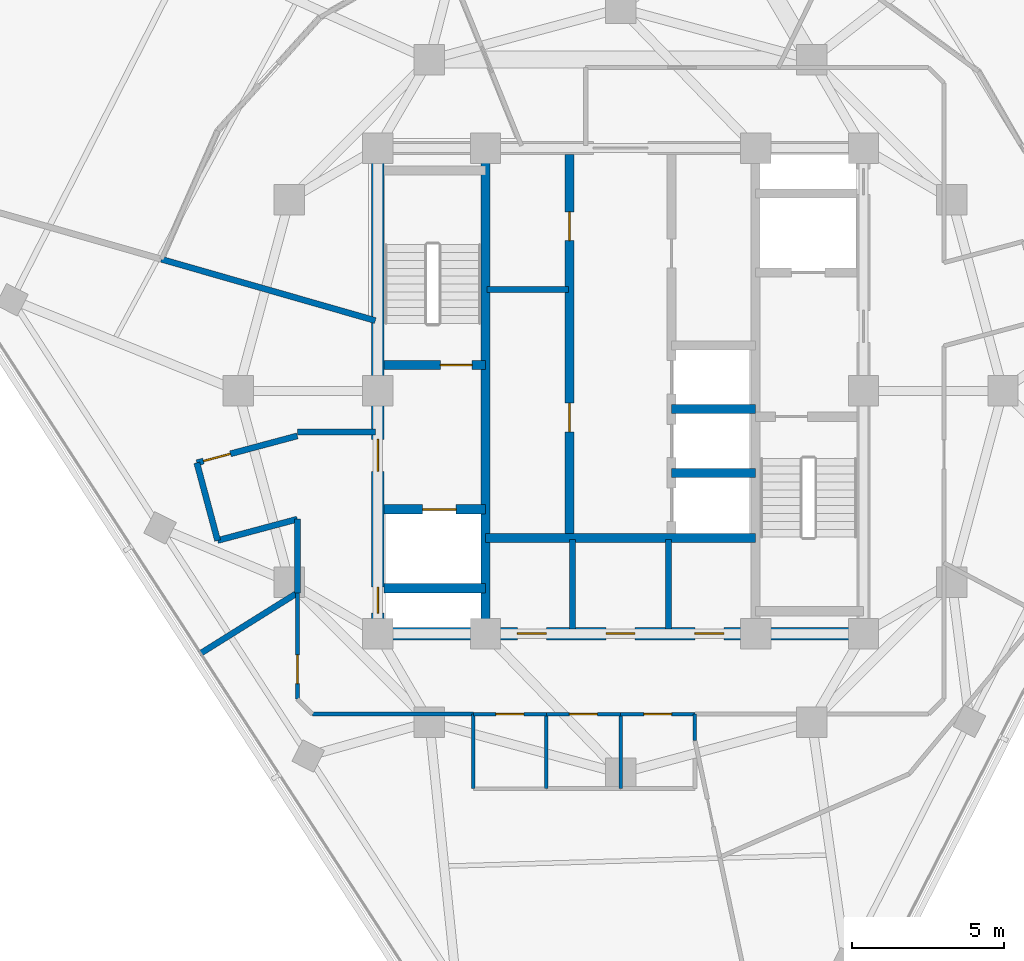
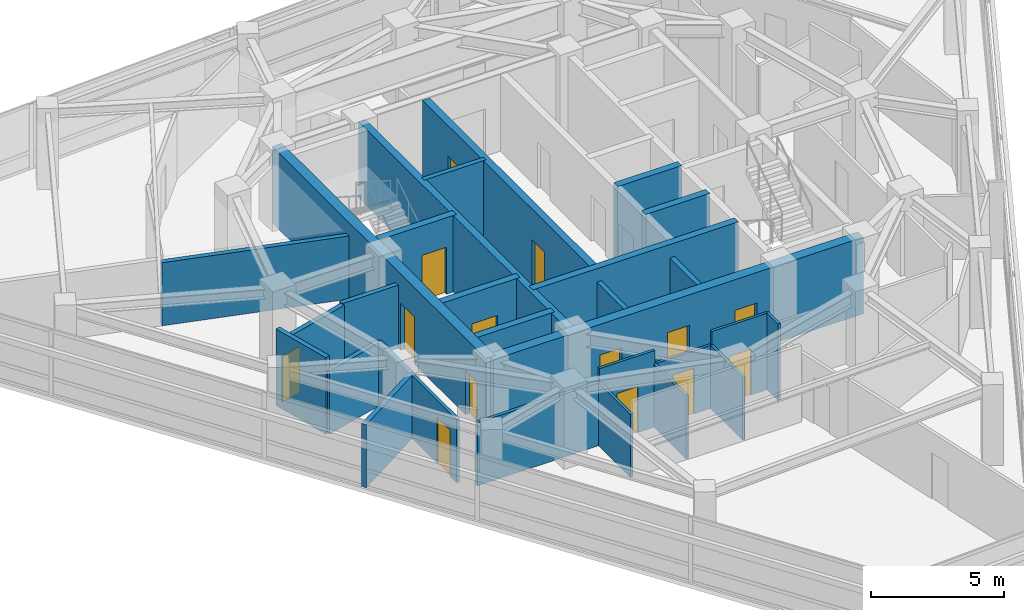
# One storey, part 8 of 15: 29 walls, 14 doors, 14 openings.
"""IFC4 building model written with IfcOpenShell, lengths in metres."""

from ifc_helpers import new_model, si_unit, direction, frame, frame_2d, origin, place, context, subcontext, project, spatial, rectangle, extrude, material, layer, layer_set, type_object, element, fill, save


model = new_model("IFC4")

# Units and contexts
model_context = context("Model", 3, precision=1e-05, world=origin(), true_north=direction((0.0, 1.0)))
body_context = subcontext(model_context, "Body", "Model", "MODEL_VIEW")
ifc_project = project(units=[si_unit("LENGTHUNIT", "METRE"), si_unit("AREAUNIT", "SQUARE_METRE"), si_unit("VOLUMEUNIT", "CUBIC_METRE"), si_unit("PLANEANGLEUNIT", "RADIAN"), si_unit("MASSUNIT", "GRAM", prefix="KILO")], contexts=[model_context])

# Site, building, storey
site_placement = place(None, origin())
site = spatial("IfcSite", under=ifc_project, at=site_placement, CompositionType="ELEMENT")
building_placement = place(site_placement, origin())
building = spatial("IfcBuilding", under=site, at=building_placement, Name="Terralouvre Media Tower", CompositionType="ELEMENT")
storey_placement = place(building_placement, frame((0.0, 0.0, 267.0)))
storey = spatial("IfcBuildingStorey", under=building, at=storey_placement, Name="L69", CompositionType="ELEMENT", Elevation=267.0)

# Wall
ifc_material_1 = material(Name="Concrete C50/60", Category="concrete")
ifc_layer_1 = layer(ifc_material_1, 0.300048828125, Name="Core Internal Shaft Wall CW-300")
ifc_layer_set_1 = layer_set([ifc_layer_1], Name="Concrete C50/60")
wall_type_1 = type_object("IfcWallType", Name="Core Internal Shaft Wall CW-300", PredefinedType="SHEAR", material=ifc_layer_set_1)
wall_1_placement = place(storey_placement, frame((-4.449951171875, -7.7900390625, 0.0), z_axis=(0.0, 0.0, 1.0), x_axis=(0.0, 1.0, 0.0)))
element("IfcWall", 1, at=wall_1_placement, inside=storey, type_object=wall_type_1, Name="L69 Core Shaft Wall SPW", PredefinedType="SHEAR", context=body_context, shape_type="SweptSolid", body=[
    extrude(rectangle(XDim=15.580078125, YDim=0.300048828125, at=frame_2d((7.7900390625, 0.0))), origin(), (0.0, 0.0, 1.0), 3.5),
])

# Wall, opening, door
wall_2_placement = place(storey_placement, frame((-7.7900390625, 0.85009765625, 0.0), z_axis=(0.0, 0.0, 1.0), x_axis=(1.0, 0.0, 0.0)))
wall_2 = element("IfcWall", 2, at=wall_2_placement, inside=storey, type_object=wall_type_1, Name="L69 Core Shaft Wall ST1D", PredefinedType="SHEAR", context=body_context, shape_type="SweptSolid", body=[
    extrude(rectangle(XDim=3.340087890625, YDim=0.300048828125, at=frame_2d((1.669921875, 0.0))), origin(), (0.0, 0.0, 1.0), 3.5),
])
opening_1_placement = place(wall_2_placement, frame((1.85009765625, 0.0, 0.0)))
opening_1 = element("IfcOpeningElement", 3, at=opening_1_placement, cuts=wall_2, Name="Opening FD-01-105X215", PredefinedType="OPENING", context=body_context, shape_type="SweptSolid", body=[
    extrude(rectangle(XDim=1.050048828125, YDim=2.14990234375, at=frame_2d((0.52490234375, 1.074951171875))), frame((0.0, 0.159912109375, 0.0), z_axis=(0.0, -1.0, 0.0), x_axis=(1.0, 0.0, 0.0)), (0.0, 0.0, 1.0), 0.320068359375),
])
ifc_material_2 = material(Name="Galvanised steel fire-resisting leaf", Category="steel")
door_type_1 = type_object("IfcDoorType", Name="Stair and Firefighting Lobby Fire Door FD-01 (1050x2150)", OperationType="NOTDEFINED", PredefinedType="DOOR", material=ifc_material_2)
door_1_placement = place(opening_1_placement, origin())
door_1 = element("IfcDoor", 4, at=door_1_placement, inside=storey, type_object=door_type_1, Name="L69 ST-01 Exit Stair Door", OperationType="SINGLE_SWING_LEFT", OverallHeight=2.14990234375, OverallWidth=1.050048828125, PredefinedType="DOOR", context=body_context, shape_type="SweptSolid", body=[
    extrude(rectangle(XDim=1.050048828125, YDim=2.14990234375, at=frame_2d((0.52490234375, 1.074951171875))), frame((0.0, 0.02490234375, 0.0), z_axis=(0.0, -1.0, 0.0), x_axis=(1.0, 0.0, 0.0)), (0.0, 0.0, 1.0), 0.050048828125),
])
fill(opening_1, door_1)

wall_3_placement = place(storey_placement, frame((-7.7900390625, -3.89990234375, 0.0), z_axis=(0.0, 0.0, 1.0), x_axis=(1.0, 0.0, 0.0)))
wall_3 = element("IfcWall", 5, at=wall_3_placement, inside=storey, type_object=wall_type_1, Name="L69 Core Shaft Wall FF1N", PredefinedType="SHEAR", context=body_context, shape_type="SweptSolid", body=[
    extrude(rectangle(XDim=3.340087890625, YDim=0.300048828125, at=frame_2d((1.669921875, 0.0))), origin(), (0.0, 0.0, 1.0), 3.5),
])
opening_2_placement = place(wall_3_placement, frame((1.27001953125, 0.0, 0.0)))
opening_2 = element("IfcOpeningElement", 6, at=opening_2_placement, cuts=wall_3, Name="Opening LD-FF", PredefinedType="OPENING", context=body_context, shape_type="SweptSolid", body=[
    extrude(rectangle(XDim=1.10009765625, YDim=2.10009765625, at=frame_2d((0.550048828125, 1.050048828125))), frame((0.0, 0.159912109375, 0.0), z_axis=(0.0, -1.0, 0.0), x_axis=(1.0, 0.0, 0.0)), (0.0, 0.0, 1.0), 0.320068359375),
])
ifc_material_3 = material(Name="Stainless steel 316 handrail and balustrade", Category="steel")
door_type_2 = type_object("IfcDoorType", Name="Firefighting Lift Sliding Landing Door LD-FF", OperationType="SLIDING_TO_LEFT", PredefinedType="DOOR", material=ifc_material_3)
door_2_placement = place(opening_2_placement, origin())
door_2 = element("IfcDoor", 7, at=door_2_placement, inside=storey, type_object=door_type_2, Name="L69 Firefighting Lift FFL-01 Landing Door", OperationType="SLIDING_TO_LEFT", OverallHeight=2.10009765625, OverallWidth=1.10009765625, PredefinedType="DOOR", context=body_context, shape_type="SweptSolid", body=[
    extrude(rectangle(XDim=1.10009765625, YDim=2.10009765625, at=frame_2d((0.550048828125, 1.050048828125))), frame((0.0, 0.02490234375, 0.0), z_axis=(0.0, -1.0, 0.0), x_axis=(1.0, 0.0, 0.0)), (0.0, 0.0, 1.0), 0.050048828125),
])
fill(opening_2, door_2)

# Walls
wall_4_placement = place(storey_placement, frame((-7.7900390625, -6.5, 0.0), z_axis=(0.0, 0.0, 1.0), x_axis=(1.0, 0.0, 0.0)))
element("IfcWall", 8, at=wall_4_placement, inside=storey, type_object=wall_type_1, Name="L69 Core Shaft Wall FF1S", PredefinedType="SHEAR", context=body_context, shape_type="SweptSolid", body=[
    extrude(rectangle(XDim=3.340087890625, YDim=0.300048828125, at=frame_2d((1.669921875, 0.0))), origin(), (0.0, 0.0, 1.0), 3.5),
])
wall_5_placement = place(storey_placement, frame((-4.449951171875, -4.85009765625, 0.0), z_axis=(0.0, 0.0, 1.0), x_axis=(1.0, 0.0, 0.0)))
element("IfcWall", 9, at=wall_5_placement, inside=storey, type_object=wall_type_1, Name="L69 Core Shaft Wall CSBN", PredefinedType="SHEAR", context=body_context, shape_type="SweptSolid", body=[
    extrude(rectangle(XDim=8.89990234375, YDim=0.300048828125, at=frame_2d((4.449951171875, 0.0))), origin(), (0.0, 0.0, 1.0), 3.5),
])

# Wall, openings, doors
wall_6_placement = place(storey_placement, frame((-1.679931640625, -4.85009765625, 0.0), z_axis=(0.0, 0.0, 1.0), x_axis=(0.0, 1.0, 0.0)))
wall_6 = element("IfcWall", 10, at=wall_6_placement, inside=storey, type_object=wall_type_1, Name="L69 Core Shaft Wall LBW", PredefinedType="SHEAR", context=body_context, shape_type="SweptSolid", body=[
    extrude(rectangle(XDim=12.64013671875, YDim=0.300048828125, at=frame_2d((6.320068359375, 0.0))), origin(), (0.0, 0.0, 1.0), 3.5),
])
opening_3_placement = place(wall_6_placement, frame((3.5, 0.0, 0.0)))
opening_3 = element("IfcOpeningElement", 11, at=opening_3_placement, cuts=wall_6, Name="Opening FD-04-95X210", PredefinedType="OPENING", context=body_context, shape_type="SweptSolid", body=[
    extrude(rectangle(XDim=0.949951171875, YDim=2.10009765625, at=frame_2d((0.47509765625, 1.050048828125))), frame((0.0, 0.159912109375, 0.0), z_axis=(0.0, -1.0, 0.0), x_axis=(1.0, 0.0, 0.0)), (0.0, 0.0, 1.0), 0.320068359375),
])
opening_4_placement = place(wall_6_placement, frame((9.800048828125, 0.0, 0.0)))
opening_4 = element("IfcOpeningElement", 12, at=opening_4_placement, cuts=wall_6, Name="Opening FD-02-95X210", PredefinedType="OPENING", context=body_context, shape_type="SweptSolid", body=[
    extrude(rectangle(XDim=0.949951171875, YDim=2.10009765625, at=frame_2d((0.47509765625, 1.050048828125))), frame((0.0, 0.159912109375, 0.0), z_axis=(0.0, -1.0, 0.0), x_axis=(1.0, 0.0, 0.0)), (0.0, 0.0, 1.0), 0.320068359375),
])
ifc_material_4 = material(Name="Galvanised steel fire-resisting leaf", Category="steel")
door_type_3 = type_object("IfcDoorType", Name="Core Store and Service Fire Door FD-04 (950x2100)", OperationType="NOTDEFINED", PredefinedType="DOOR", material=ifc_material_4)
door_3_placement = place(opening_3_placement, origin())
door_3 = element("IfcDoor", 13, at=door_3_placement, inside=storey, type_object=door_type_3, Name="L69 Core Archive Store Door", OperationType="SINGLE_SWING_LEFT", OverallHeight=2.10009765625, OverallWidth=0.949951171875, PredefinedType="DOOR", context=body_context, shape_type="SweptSolid", body=[
    extrude(rectangle(XDim=0.949951171875, YDim=2.10009765625, at=frame_2d((0.47509765625, 1.050048828125))), frame((0.0, 0.02490234375, 0.0), z_axis=(0.0, -1.0, 0.0), x_axis=(1.0, 0.0, 0.0)), (0.0, 0.0, 1.0), 0.050048828125),
])
fill(opening_3, door_3)
ifc_material_5 = material(Name="Galvanised steel fire-resisting leaf", Category="steel")
door_type_4 = type_object("IfcDoorType", Name="Plant and Riser Fire Door FD-02 (950x2100)", OperationType="NOTDEFINED", PredefinedType="DOOR", material=ifc_material_5)
door_4_placement = place(opening_4_placement, origin())
door_4 = element("IfcDoor", 14, at=door_4_placement, inside=storey, type_object=door_type_4, Name="L69 Core AV Repeater Plant Door", OperationType="SINGLE_SWING_RIGHT", OverallHeight=2.10009765625, OverallWidth=0.949951171875, PredefinedType="DOOR", context=body_context, shape_type="SweptSolid", body=[
    extrude(rectangle(XDim=0.949951171875, YDim=2.10009765625, at=frame_2d((0.47509765625, 1.050048828125))), frame((0.0, 0.02490234375, 0.0), z_axis=(0.0, -1.0, 0.0), x_axis=(1.0, 0.0, 0.0)), (0.0, 0.0, 1.0), 0.050048828125),
])
fill(opening_4, door_4)

# Walls
for number, where, z_axis, x_axis, name in (
    (15, (1.679931640625, -2.699951171875, 0.0), (0.0, 0.0, 1.0), (1.0, 0.0, 0.0), "L69 Core Shaft Wall PLHD1"),
    (16, (1.679931640625, -0.60009765625, 0.0), (0.0, 0.0, 1.0), (1.0, 0.0, 0.0), "L69 Core Shaft Wall PLHD2"),
):
    element("IfcWall", number, at=place(storey_placement, frame(where, z_axis=z_axis, x_axis=x_axis)), inside=storey, type_object=wall_type_1, Name=name, PredefinedType="SHEAR", context=body_context, shape_type="SweptSolid", body=[
        extrude(rectangle(XDim=2.77001953125, YDim=0.300048828125, at=frame_2d((1.385009765625, 0.0))), origin(), (0.0, 0.0, 1.0), 3.5),
    ])

# Wall, openings, doors
ifc_material_6 = material(Name="Concrete C60/75", Category="concrete")
ifc_layer_2 = layer(ifc_material_6, 0.419921875, Name="Core Reinforced Concrete Shear Wall CW-420")
ifc_layer_set_2 = layer_set([ifc_layer_2], Name="Concrete C60/75")
wall_type_2 = type_object("IfcWallType", Name="Core Reinforced Concrete Shear Wall CW-420", PredefinedType="SHEAR", material=ifc_layer_set_2)
wall_7_placement = place(storey_placement, frame((-8.0, -8.0, 0.0), z_axis=(0.0, 0.0, 1.0), x_axis=(0.0, 1.0, 0.0)))
wall_7 = element("IfcWall", 17, at=wall_7_placement, inside=storey, type_object=wall_type_2, Name="L69 W Core Shear Wall", PredefinedType="SHEAR", context=body_context, shape_type="SweptSolid", body=[
    extrude(rectangle(XDim=16.0, YDim=0.419921875, at=frame_2d((8.0, 0.0))), origin(), (0.0, 0.0, 1.0), 3.5),
])
opening_5_placement = place(wall_7_placement, frame((0.68115234375, 0.0, 0.0)))
opening_5 = element("IfcOpeningElement", 18, at=opening_5_placement, cuts=wall_7, Name="Opening TD-R1", PredefinedType="OPENING", context=body_context, shape_type="SweptSolid", body=[
    extrude(rectangle(XDim=0.85009765625, YDim=2.02001953125, at=frame_2d((0.425048828125, 1.010009765625))), frame((0.0, 0.219970703125, 0.0), z_axis=(0.0, -1.0, 0.0), x_axis=(1.0, 0.0, 0.0)), (0.0, 0.0, 1.0), 0.43994140625),
])
opening_6_placement = place(wall_7_placement, frame((5.35009765625, 0.0, 0.0)))
opening_6 = element("IfcOpeningElement", 19, at=opening_6_placement, cuts=wall_7, Name="Opening FD-01-105X215", PredefinedType="OPENING", context=body_context, shape_type="SweptSolid", body=[
    extrude(rectangle(XDim=1.050048828125, YDim=2.14990234375, at=frame_2d((0.52490234375, 1.074951171875))), frame((0.0, 0.219970703125, 0.0), z_axis=(0.0, -1.0, 0.0), x_axis=(1.0, 0.0, 0.0)), (0.0, 0.0, 1.0), 0.43994140625),
])
ifc_material_7 = material(Name="Galvanised steel fire-resisting leaf", Category="steel")
door_type_5 = type_object("IfcDoorType", Name="Riser Inspection Access Trapdoor TD-R1", OperationType="NOTDEFINED", PredefinedType="TRAPDOOR", material=ifc_material_7)
door_5_placement = place(opening_5_placement, origin())
door_5 = element("IfcDoor", 20, at=door_5_placement, inside=storey, type_object=door_type_5, Name="L69 Wet Riser Access Trapdoor", OperationType="SINGLE_SWING_LEFT", OverallHeight=2.02001953125, OverallWidth=0.85009765625, PredefinedType="TRAPDOOR", context=body_context, shape_type="SweptSolid", body=[
    extrude(rectangle(XDim=0.85009765625, YDim=2.02001953125, at=frame_2d((0.425048828125, 1.010009765625))), frame((0.0, 0.02490234375, 0.0), z_axis=(0.0, -1.0, 0.0), x_axis=(1.0, 0.0, 0.0)), (0.0, 0.0, 1.0), 0.050048828125),
])
fill(opening_5, door_5)
door_6_placement = place(opening_6_placement, origin())
door_6 = element("IfcDoor", 21, at=door_6_placement, inside=storey, type_object=door_type_1, Name="L69 West Firefighting Lobby Entry Door", OperationType="SINGLE_SWING_RIGHT", OverallHeight=2.14990234375, OverallWidth=1.050048828125, PredefinedType="DOOR", context=body_context, shape_type="SweptSolid", body=[
    extrude(rectangle(XDim=1.050048828125, YDim=2.14990234375, at=frame_2d((0.52490234375, 1.074951171875))), frame((0.0, 0.02490234375, 0.0), z_axis=(0.0, -1.0, 0.0), x_axis=(1.0, 0.0, 0.0)), (0.0, 0.0, 1.0), 0.050048828125),
])
fill(opening_6, door_6)

wall_8_placement = place(storey_placement, frame((-8.0, -8.0, 0.0), z_axis=(0.0, 0.0, 1.0), x_axis=(1.0, 0.0, 0.0)))
wall_8 = element("IfcWall", 22, at=wall_8_placement, inside=storey, type_object=wall_type_2, Name="L69 S Core Shear Wall", PredefinedType="SHEAR", context=body_context, shape_type="SweptSolid", body=[
    extrude(rectangle(XDim=16.0, YDim=0.419921875, at=frame_2d((8.0, 0.0))), origin(), (0.0, 0.0, 1.0), 3.5),
])
opening_7_placement = place(wall_8_placement, frame((4.60009765625, 0.0, 0.0)))
opening_7 = element("IfcOpeningElement", 23, at=opening_7_placement, cuts=wall_8, Name="Opening FD-02-95X210", PredefinedType="OPENING", context=body_context, shape_type="SweptSolid", body=[
    extrude(rectangle(XDim=0.949951171875, YDim=2.10009765625, at=frame_2d((0.47509765625, 1.050048828125))), frame((0.0, 0.219970703125, 0.0), z_axis=(0.0, -1.0, 0.0), x_axis=(1.0, 0.0, 0.0)), (0.0, 0.0, 1.0), 0.43994140625),
])
opening_8_placement = place(wall_8_placement, frame((7.52001953125, 0.0, 0.0)))
opening_8 = element("IfcOpeningElement", 24, at=opening_8_placement, cuts=wall_8, Name="Opening FD-02-95X210", PredefinedType="OPENING", context=body_context, shape_type="SweptSolid", body=[
    extrude(rectangle(XDim=0.949951171875, YDim=2.10009765625, at=frame_2d((0.47509765625, 1.050048828125))), frame((0.0, 0.219970703125, 0.0), z_axis=(0.0, -1.0, 0.0), x_axis=(1.0, 0.0, 0.0)), (0.0, 0.0, 1.0), 0.43994140625),
])
opening_9_placement = place(wall_8_placement, frame((10.449951171875, 0.0, 0.0)))
opening_9 = element("IfcOpeningElement", 25, at=opening_9_placement, cuts=wall_8, Name="Opening FD-02-95X210", PredefinedType="OPENING", context=body_context, shape_type="SweptSolid", body=[
    extrude(rectangle(XDim=0.949951171875, YDim=2.10009765625, at=frame_2d((0.47509765625, 1.050048828125))), frame((0.0, 0.219970703125, 0.0), z_axis=(0.0, -1.0, 0.0), x_axis=(1.0, 0.0, 0.0)), (0.0, 0.0, 1.0), 0.43994140625),
])
door_7_placement = place(opening_7_placement, origin())
door_7 = element("IfcDoor", 26, at=door_7_placement, inside=storey, type_object=door_type_4, Name="L69 Core Janitor Store Door", OperationType="SINGLE_SWING_LEFT", OverallHeight=2.10009765625, OverallWidth=0.949951171875, PredefinedType="DOOR", context=body_context, shape_type="SweptSolid", body=[
    extrude(rectangle(XDim=0.949951171875, YDim=2.10009765625, at=frame_2d((0.47509765625, 1.050048828125))), frame((0.0, 0.02490234375, 0.0), z_axis=(0.0, -1.0, 0.0), x_axis=(1.0, 0.0, 0.0)), (0.0, 0.0, 1.0), 0.050048828125),
])
fill(opening_7, door_7)
door_8_placement = place(opening_8_placement, origin())
door_8 = element("IfcDoor", 27, at=door_8_placement, inside=storey, type_object=door_type_4, Name="L69 Core Linen Store Door", OperationType="SINGLE_SWING_RIGHT", OverallHeight=2.10009765625, OverallWidth=0.949951171875, PredefinedType="DOOR", context=body_context, shape_type="SweptSolid", body=[
    extrude(rectangle(XDim=0.949951171875, YDim=2.10009765625, at=frame_2d((0.47509765625, 1.050048828125))), frame((0.0, 0.02490234375, 0.0), z_axis=(0.0, -1.0, 0.0), x_axis=(1.0, 0.0, 0.0)), (0.0, 0.0, 1.0), 0.050048828125),
])
fill(opening_8, door_8)
door_9_placement = place(opening_9_placement, origin())
door_9 = element("IfcDoor", 28, at=door_9_placement, inside=storey, type_object=door_type_4, Name="L69 Core Metering Plant Door", OperationType="SINGLE_SWING_LEFT", OverallHeight=2.10009765625, OverallWidth=0.949951171875, PredefinedType="DOOR", context=body_context, shape_type="SweptSolid", body=[
    extrude(rectangle(XDim=0.949951171875, YDim=2.10009765625, at=frame_2d((0.47509765625, 1.050048828125))), frame((0.0, 0.02490234375, 0.0), z_axis=(0.0, -1.0, 0.0), x_axis=(1.0, 0.0, 0.0)), (0.0, 0.0, 1.0), 0.050048828125),
])
fill(opening_9, door_9)

# Walls
ifc_material_8 = material(Name="Fire-rated gypsum board drywall partition")
ifc_layer_3 = layer(ifc_material_8, 0.199951171875, Name="Fire-Rated Shaft and Lobby Partition FW-200")
ifc_layer_set_3 = layer_set([ifc_layer_3], Name="Fire-rated gypsum board drywall partition")
wall_type_3 = type_object("IfcWallType", Name="Fire-Rated Shaft and Lobby Partition FW-200", PredefinedType="SOLIDWALL", material=ifc_layer_set_3)
for number, where, z_axis, x_axis, name in (
    (29, (-1.580078125, -7.85009765625, 0.0), (0.0, 0.0, 1.0), (0.0, 1.0, 0.0), "L69 Core Service Bay Partition 1"),
    (30, (1.580078125, -7.85009765625, 0.0), (0.0, 0.0, 1.0), (0.0, 1.0, 0.0), "L69 Core Service Bay Partition 2"),
):
    element("IfcWall", number, at=place(storey_placement, frame(where, z_axis=z_axis, x_axis=x_axis)), inside=storey, type_object=wall_type_3, Name=name, PredefinedType="SOLIDWALL", context=body_context, shape_type="SweptSolid", body=[
        extrude(rectangle(XDim=2.9501953125, YDim=0.199951171875, at=frame_2d((1.47509765625, 0.0))), origin(), (0.0, 0.0, 1.0), 2.885009765625),
    ])
wall_9_placement = place(storey_placement, frame((-4.39990234375, 3.340087890625, 0.0), z_axis=(0.0, 0.0, 1.0), x_axis=(1.0, 0.0, 0.0)))
element("IfcWall", 31, at=wall_9_placement, inside=storey, type_object=wall_type_3, Name="L69 Core West Sub-Partition 1", PredefinedType="SOLIDWALL", context=body_context, shape_type="SweptSolid", body=[
    extrude(rectangle(XDim=2.679931640625, YDim=0.199951171875, at=frame_2d((1.33984375, 0.0))), origin(), (0.0, 0.0, 1.0), 3.5),
])
wall_10_placement = place(storey_placement, frame((-8.080078125, -1.35009765625, 0.0), z_axis=(0.0, 0.0, 1.0), x_axis=(-1.0, 0.0, 0.0)))
element("IfcWall", 32, at=wall_10_placement, inside=storey, type_object=wall_type_3, Name="L69 Interior Partition 001", PredefinedType="SOLIDWALL", context=body_context, shape_type="SweptSolid", body=[
    extrude(rectangle(XDim=2.56982421875, YDim=0.199951171875, at=frame_2d((1.284912109375, 0.0))), origin(), (0.0, 0.0, 1.0), 2.885009765625),
])

# Wall, opening, door
wall_11_placement = place(storey_placement, frame((-10.64990234375, -1.48193359375, 0.0), z_axis=(0.0, 0.0, 1.0), x_axis=(-0.965961397105, -0.2586862565, 0.0)))
wall_11 = element("IfcWall", 33, at=wall_11_placement, inside=storey, type_object=wall_type_3, Name="L69 Interior Partition 002", PredefinedType="SOLIDWALL", context=body_context, shape_type="SweptSolid", body=[
    extrude(rectangle(XDim=3.4287109375, YDim=0.199951171875, at=frame_2d((1.71435546875, 0.0))), origin(), (0.0, 0.0, 1.0), 2.885009765625),
])
opening_10_placement = place(wall_11_placement, frame((2.282958984375, 0.0, 0.0)))
opening_10 = element("IfcOpeningElement", 34, at=opening_10_placement, cuts=wall_11, Name="Opening FD-05-92X210", PredefinedType="OPENING", context=body_context, shape_type="SweptSolid", body=[
    extrude(rectangle(XDim=0.919921875, YDim=2.10009765625, at=frame_2d((0.4599609375, 1.050048828125))), frame((0.0, 0.10986328125, 0.0), z_axis=(0.0, -1.0, 0.0), x_axis=(1.0, 0.0, 0.0)), (0.0, 0.0, 1.0), 0.219970703125),
])
ifc_material_9 = material(Name="Galvanised steel fire-resisting leaf", Category="steel")
door_type_6 = type_object("IfcDoorType", Name="Core Accessible Closet Fire Door FD-05 (920x2100)", OperationType="NOTDEFINED", PredefinedType="DOOR", material=ifc_material_9)
door_10_placement = place(opening_10_placement, origin())
door_10 = element("IfcDoor", 35, at=door_10_placement, inside=storey, type_object=door_type_6, Name="L69 IDF Comms Server Room 1 Door", OperationType="SINGLE_SWING_RIGHT", OverallHeight=2.10009765625, OverallWidth=0.919921875, PredefinedType="DOOR", context=body_context, shape_type="SweptSolid", body=[
    extrude(rectangle(XDim=0.919921875, YDim=2.10009765625, at=frame_2d((0.4599609375, 1.050048828125))), frame((0.0, 0.02490234375, 0.0), z_axis=(0.0, -1.0, 0.0), x_axis=(1.0, 0.0, 0.0)), (0.0, 0.0, 1.0), 0.050048828125),
])
fill(opening_10, door_10)

# Walls
wall_12_placement = place(storey_placement, frame((-13.9619140625, -2.368896484375, 0.0), z_axis=(0.0, 0.0, 1.0), x_axis=(0.258413725385, -0.966034340245, 0.0)))
element("IfcWall", 36, at=wall_12_placement, inside=storey, type_object=wall_type_3, Name="L69 Interior Partition 003", PredefinedType="SOLIDWALL", context=body_context, shape_type="SweptSolid", body=[
    extrude(rectangle(XDim=2.650146484375, YDim=0.199951171875, at=frame_2d((1.3251953125, 0.0))), origin(), (0.0, 0.0, 1.0), 3.5),
])
wall_13_placement = place(storey_placement, frame((-13.277099609375, -4.928955078125, 0.0), z_axis=(0.0, 0.0, 1.0), x_axis=(0.965934830229, 0.258785439601, 0.0)))
element("IfcWall", 37, at=wall_13_placement, inside=storey, type_object=wall_type_3, Name="L69 Interior Partition 004", PredefinedType="SOLIDWALL", context=body_context, shape_type="SweptSolid", body=[
    extrude(rectangle(XDim=2.719970703125, YDim=0.199951171875, at=frame_2d((1.35986328125, 0.0))), origin(), (0.0, 0.0, 1.0), 2.885009765625),
])
wall_14_placement = place(storey_placement, frame((-10.64990234375, -4.22509765625, 0.0), z_axis=(0.0, 0.0, 1.0), x_axis=(0.0, -1.0, 0.0)))
element("IfcWall", 38, at=wall_14_placement, inside=storey, type_object=wall_type_3, Name="L69 Interior Partition 005", PredefinedType="SOLIDWALL", context=body_context, shape_type="SweptSolid", body=[
    extrude(rectangle(XDim=2.429931640625, YDim=0.199951171875, at=frame_2d((1.21484375, 0.0))), origin(), (0.0, 0.0, 1.0), 2.885009765625),
])
wall_15_placement = place(storey_placement, frame((-13.869873046875, -8.6669921875, 0.0), z_axis=(0.0, 0.0, 1.0), x_axis=(0.848059708933, 0.529900679454, 0.0)))
element("IfcWall", 39, at=wall_15_placement, inside=storey, type_object=wall_type_3, Name="L69 Interior Partition 024", PredefinedType="SOLIDWALL", context=body_context, shape_type="SweptSolid", body=[
    extrude(rectangle(XDim=3.796875, YDim=0.199951171875, at=frame_2d((1.8984375, 0.0))), origin(), (0.0, 0.0, 1.0), 2.885009765625),
])
wall_16_placement = place(storey_placement, frame((-8.080078125, 2.316650390625, 0.0), z_axis=(0.0, 0.0, 1.0), x_axis=(-0.961260926499, 0.275640039155, 0.0)))
element("IfcWall", 40, at=wall_16_placement, inside=storey, type_object=wall_type_3, Name="L69 Interior Partition 025", PredefinedType="SOLIDWALL", context=body_context, shape_type="SweptSolid", body=[
    extrude(rectangle(XDim=7.3330078125, YDim=0.199951171875, at=frame_2d((3.66650390625, 0.0))), origin(), (0.0, 0.0, 1.0), 2.885009765625),
])

# Wall, opening, door
ifc_material_10 = material(Name="Fire-rated gypsum board drywall partition")
ifc_layer_4 = layer(ifc_material_10, 0.135009765625, Name="Newsroom Acoustic Partition PT-135")
ifc_layer_set_4 = layer_set([ifc_layer_4], Name="Fire-rated gypsum board drywall partition")
wall_type_4 = type_object("IfcWallType", Name="Newsroom Acoustic Partition PT-135", PredefinedType="PARTITIONING", material=ifc_layer_set_4)
wall_17_placement = place(storey_placement, frame((-10.64990234375, -6.655029296875, 0.0), z_axis=(0.0, 0.0, 1.0), x_axis=(0.0, -1.0, 0.0)))
wall_17 = element("IfcWall", 41, at=wall_17_placement, inside=storey, type_object=wall_type_4, Name="L69 Interior Partition 014", PredefinedType="PARTITIONING", context=body_context, shape_type="SweptSolid", body=[
    extrude(rectangle(XDim=3.494873046875, YDim=0.135009765625, at=frame_2d((1.74755859375, 0.0))), origin(), (0.0, 0.0, 1.0), 2.885009765625),
])
opening_11_placement = place(wall_17_placement, frame((2.04150390625, 0.0, 0.0)))
opening_11 = element("IfcOpeningElement", 42, at=opening_11_placement, cuts=wall_17, Name="Opening ID-02-95X210", PredefinedType="OPENING", context=body_context, shape_type="SweptSolid", body=[
    extrude(rectangle(XDim=0.949951171875, YDim=2.10009765625, at=frame_2d((0.47509765625, 1.050048828125))), frame((0.0, 0.077392578125, 0.0), z_axis=(0.0, -1.0, 0.0), x_axis=(1.0, 0.0, 0.0)), (0.0, 0.0, 1.0), 0.155029296875),
])
ifc_material_11 = material(Name="Engineered hardwood acoustic timber leaf", Category="wood")
door_type_7 = type_object("IfcDoorType", Name="Office and Meeting Room Door ID-02 (950x2100)", OperationType="NOTDEFINED", PredefinedType="DOOR", material=ifc_material_11)
door_11_placement = place(opening_11_placement, origin())
door_11 = element("IfcDoor", 43, at=door_11_placement, inside=storey, type_object=door_type_7, Name="L69 Graphics Desk Office 3 Door", OperationType="SINGLE_SWING_LEFT", OverallHeight=2.10009765625, OverallWidth=0.949951171875, PredefinedType="DOOR", context=body_context, shape_type="SweptSolid", body=[
    extrude(rectangle(XDim=0.949951171875, YDim=2.10009765625, at=frame_2d((0.47509765625, 1.050048828125))), frame((0.0, 0.02490234375, 0.0), z_axis=(0.0, -1.0, 0.0), x_axis=(1.0, 0.0, 0.0)), (0.0, 0.0, 1.0), 0.050048828125),
])
fill(opening_11, door_11)

# Wall
wall_18_placement = place(storey_placement, frame((-10.14990234375, -10.64990234375, 0.0), z_axis=(0.0, 0.0, 1.0), x_axis=(1.0, 0.0, 0.0)))
element("IfcWall", 44, at=wall_18_placement, inside=storey, type_object=wall_type_4, Name="L69 Interior Partition 016", PredefinedType="PARTITIONING", context=body_context, shape_type="SweptSolid", body=[
    extrude(rectangle(XDim=5.2998046875, YDim=0.135009765625, at=frame_2d((2.64990234375, 0.0))), origin(), (0.0, 0.0, 1.0), 2.885009765625),
])

# Wall, opening, door
ifc_material_12 = material(Name="Fire-rated gypsum board drywall partition")
ifc_layer_5 = layer(ifc_material_12, 0.114990234375, Name="Restroom and Pantry Partition PT-115")
ifc_layer_set_5 = layer_set([ifc_layer_5], Name="Fire-rated gypsum board drywall partition")
wall_type_5 = type_object("IfcWallType", Name="Restroom and Pantry Partition PT-115", PredefinedType="PARTITIONING", material=ifc_layer_set_5)
wall_19_placement = place(storey_placement, frame((-4.85009765625, -10.64990234375, 0.0), z_axis=(0.0, 0.0, 1.0), x_axis=(1.0, 0.0, 0.0)))
wall_19 = element("IfcWall", 45, at=wall_19_placement, inside=storey, type_object=wall_type_5, Name="L69 Interior Partition 013", PredefinedType="PARTITIONING", context=body_context, shape_type="SweptSolid", body=[
    extrude(rectangle(XDim=2.400146484375, YDim=0.114990234375, at=frame_2d((1.2001953125, 0.0))), origin(), (0.0, 0.0, 1.0), 3.5),
])
opening_12_placement = place(wall_19_placement, frame((0.739990234375, 0.0, 0.0)))
opening_12 = element("IfcOpeningElement", 46, at=opening_12_placement, cuts=wall_19, Name="Opening ID-03-92X210", PredefinedType="OPENING", context=body_context, shape_type="SweptSolid", body=[
    extrude(rectangle(XDim=0.919921875, YDim=2.10009765625, at=frame_2d((0.4599609375, 1.050048828125))), frame((0.0, 0.0673828125, 0.0), z_axis=(0.0, -1.0, 0.0), x_axis=(1.0, 0.0, 0.0)), (0.0, 0.0, 1.0), 0.135009765625),
])
ifc_material_13 = material(Name="Engineered hardwood acoustic timber leaf", Category="wood")
door_type_8 = type_object("IfcDoorType", Name="Accessible Restroom and Suite Door ID-03 (920x2100)", OperationType="NOTDEFINED", PredefinedType="DOOR", material=ifc_material_13)
door_12_placement = place(opening_12_placement, origin())
door_12 = element("IfcDoor", 47, at=door_12_placement, inside=storey, type_object=door_type_8, Name="L69 Male Restroom WC Door", OperationType="SINGLE_SWING_RIGHT", OverallHeight=2.10009765625, OverallWidth=0.919921875, PredefinedType="DOOR", context=body_context, shape_type="SweptSolid", body=[
    extrude(rectangle(XDim=0.919921875, YDim=2.10009765625, at=frame_2d((0.4599609375, 1.050048828125))), frame((0.0, 0.02490234375, 0.0), z_axis=(0.0, -1.0, 0.0), x_axis=(1.0, 0.0, 0.0)), (0.0, 0.0, 1.0), 0.050048828125),
])
fill(opening_12, door_12)

wall_20_placement = place(storey_placement, frame((-2.449951171875, -10.64990234375, 0.0), z_axis=(0.0, 0.0, 1.0), x_axis=(1.0, 0.0, 0.0)))
wall_20 = element("IfcWall", 48, at=wall_20_placement, inside=storey, type_object=wall_type_5, Name="L69 Interior Partition 017", PredefinedType="PARTITIONING", context=body_context, shape_type="SweptSolid", body=[
    extrude(rectangle(XDim=2.449951171875, YDim=0.114990234375, at=frame_2d((1.22509765625, 0.0))), origin(), (0.0, 0.0, 1.0), 2.885009765625),
])
opening_13_placement = place(wall_20_placement, frame((0.764892578125, 0.0, 0.0)))
opening_13 = element("IfcOpeningElement", 49, at=opening_13_placement, cuts=wall_20, Name="Opening ID-03-92X210", PredefinedType="OPENING", context=body_context, shape_type="SweptSolid", body=[
    extrude(rectangle(XDim=0.919921875, YDim=2.10009765625, at=frame_2d((0.4599609375, 1.050048828125))), frame((0.0, 0.0673828125, 0.0), z_axis=(0.0, -1.0, 0.0), x_axis=(1.0, 0.0, 0.0)), (0.0, 0.0, 1.0), 0.135009765625),
])
door_13_placement = place(opening_13_placement, origin())
door_13 = element("IfcDoor", 50, at=door_13_placement, inside=storey, type_object=door_type_8, Name="L69 Female Restroom WC Door", OperationType="SINGLE_SWING_RIGHT", OverallHeight=2.10009765625, OverallWidth=0.919921875, PredefinedType="DOOR", context=body_context, shape_type="SweptSolid", body=[
    extrude(rectangle(XDim=0.919921875, YDim=2.10009765625, at=frame_2d((0.4599609375, 1.050048828125))), frame((0.0, 0.02490234375, 0.0), z_axis=(0.0, -1.0, 0.0), x_axis=(1.0, 0.0, 0.0)), (0.0, 0.0, 1.0), 0.050048828125),
])
fill(opening_13, door_13)

wall_21_placement = place(storey_placement, frame((0.0, -10.64990234375, 0.0), z_axis=(0.0, 0.0, 1.0), x_axis=(1.0, 0.0, 0.0)))
wall_21 = element("IfcWall", 51, at=wall_21_placement, inside=storey, type_object=wall_type_5, Name="L69 Interior Partition 018", PredefinedType="PARTITIONING", context=body_context, shape_type="SweptSolid", body=[
    extrude(rectangle(XDim=2.449951171875, YDim=0.114990234375, at=frame_2d((1.22509765625, 0.0))), origin(), (0.0, 0.0, 1.0), 3.5),
])
opening_14_placement = place(wall_21_placement, frame((0.764892578125, 0.0, 0.0)))
opening_14 = element("IfcOpeningElement", 52, at=opening_14_placement, cuts=wall_21, Name="Opening ID-03-92X210", PredefinedType="OPENING", context=body_context, shape_type="SweptSolid", body=[
    extrude(rectangle(XDim=0.919921875, YDim=2.10009765625, at=frame_2d((0.4599609375, 1.050048828125))), frame((0.0, 0.0673828125, 0.0), z_axis=(0.0, -1.0, 0.0), x_axis=(1.0, 0.0, 0.0)), (0.0, 0.0, 1.0), 0.135009765625),
])
door_14_placement = place(opening_14_placement, origin())
door_14 = element("IfcDoor", 53, at=door_14_placement, inside=storey, type_object=door_type_8, Name="L69 Accessible Unisex WC Door", OperationType="SINGLE_SWING_LEFT", OverallHeight=2.10009765625, OverallWidth=0.919921875, PredefinedType="DOOR", context=body_context, shape_type="SweptSolid", body=[
    extrude(rectangle(XDim=0.919921875, YDim=2.10009765625, at=frame_2d((0.4599609375, 1.050048828125))), frame((0.0, 0.02490234375, 0.0), z_axis=(0.0, -1.0, 0.0), x_axis=(1.0, 0.0, 0.0)), (0.0, 0.0, 1.0), 0.050048828125),
])
fill(opening_14, door_14)

# Walls
for number, where, z_axis, x_axis, name in (
    (54, (-4.85009765625, -10.64990234375, 0.0), (0.0, 0.0, 1.0), (0.0, -1.0, 0.0), "L69 Interior Partition 033"),
    (55, (-2.449951171875, -13.10009765625, 0.0), (0.0, 0.0, 1.0), (0.0, 1.0, 0.0), "L69 Interior Partition 035"),
    (56, (0.0, -13.10009765625, 0.0), (0.0, 0.0, 1.0), (0.0, 1.0, 0.0), "L69 Interior Partition 041"),
):
    element("IfcWall", number, at=place(storey_placement, frame(where, z_axis=z_axis, x_axis=x_axis)), inside=storey, type_object=wall_type_5, Name=name, PredefinedType="PARTITIONING", context=body_context, shape_type="SweptSolid", body=[
        extrude(rectangle(XDim=2.4501953125, YDim=0.114990234375, at=frame_2d((1.22509765625, 0.0))), origin(), (0.0, 0.0, 1.0), 2.885009765625),
    ])
wall_22_placement = place(storey_placement, frame((2.449951171875, -11.52587890625, 0.0), z_axis=(0.0, 0.0, 1.0), x_axis=(0.0, 1.0, 0.0)))
element("IfcWall", 57, at=wall_22_placement, inside=storey, type_object=wall_type_5, Name="L69 Interior Partition 042", PredefinedType="PARTITIONING", context=body_context, shape_type="SweptSolid", body=[
    extrude(rectangle(XDim=0.8759765625, YDim=0.114990234375, at=frame_2d((0.43798828125, 0.0))), origin(), (0.0, 0.0, 1.0), 3.5),
])

save(model, "model.ifc")
